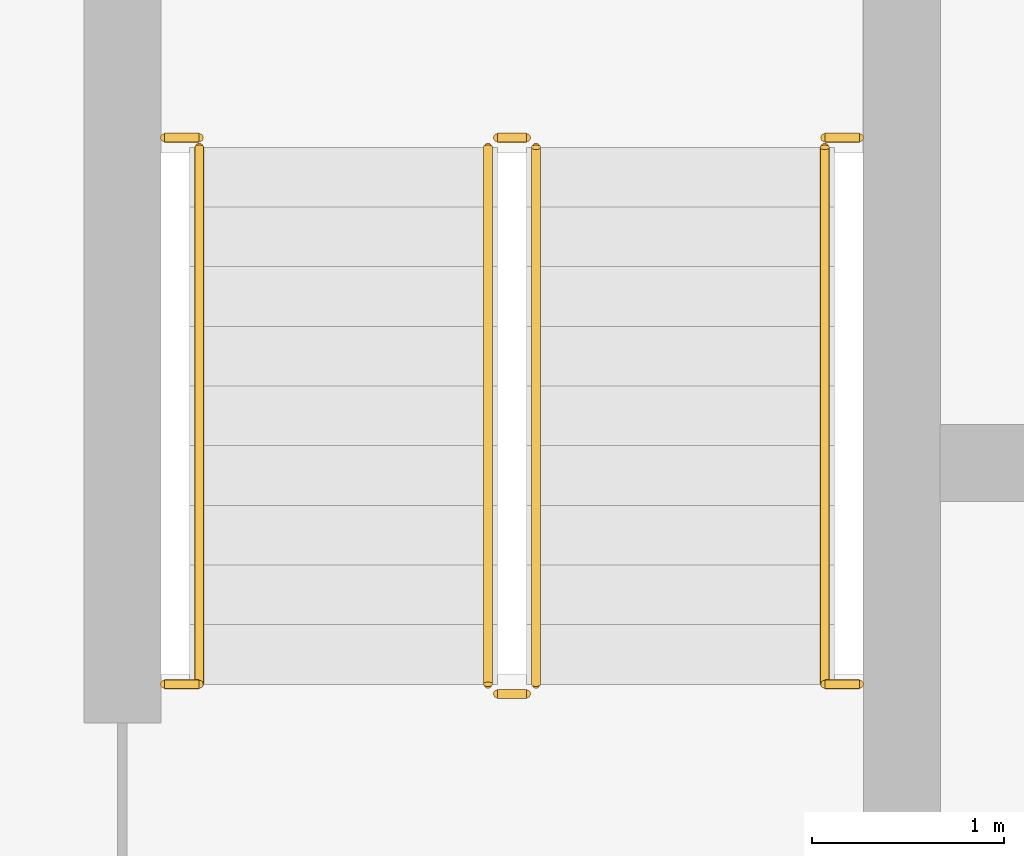
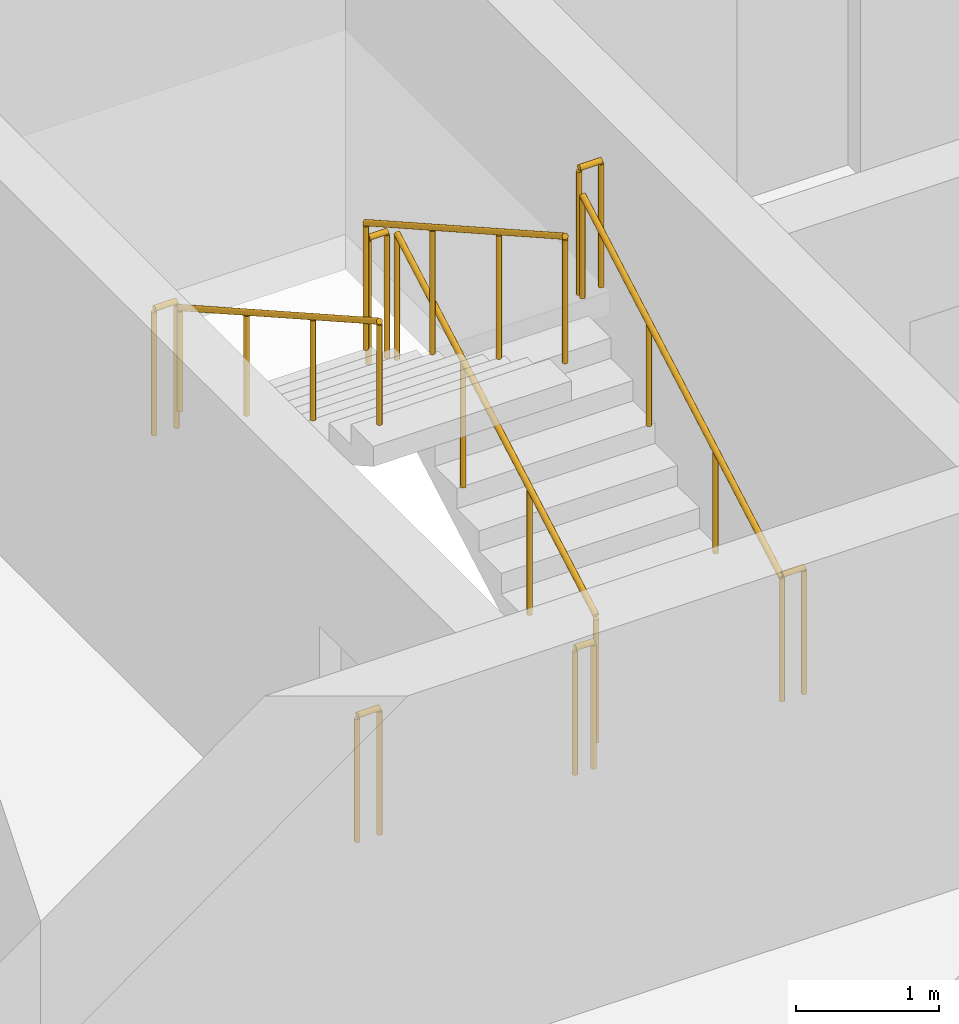
# One storey, part 17 of 21: 10 railings.
"""IFC4 building model written with IfcOpenShell, lengths in metres."""

from ifc_helpers import new_model, si_unit, direction, frame, origin, origin_2d, place, context, subcontext, project, spatial, circle, extrude, material, type_object, element, save


model = new_model("IFC4")

# Units and contexts
model_context = context("Model", 3, precision=1e-05, world=origin(), true_north=direction((0.0, 1.0)))
body_context = subcontext(model_context, "Body", "Model", "MODEL_VIEW")
ifc_project = project(units=[si_unit("LENGTHUNIT", "METRE"), si_unit("AREAUNIT", "SQUARE_METRE"), si_unit("VOLUMEUNIT", "CUBIC_METRE"), si_unit("PLANEANGLEUNIT", "RADIAN"), si_unit("MASSUNIT", "GRAM", prefix="KILO")], contexts=[model_context])

# Site, building, storey
site_placement = place(None, origin())
site = spatial("IfcSite", under=ifc_project, at=site_placement, CompositionType="ELEMENT")
building_placement = place(site_placement, origin())
building = spatial("IfcBuilding", under=site, at=building_placement, Name="Madar Terraces", CompositionType="ELEMENT")
storey_placement = place(building_placement, frame((0.0, 0.0, 272.10009765625)))
storey = spatial("IfcBuildingStorey", under=building, at=storey_placement, Name="L71", CompositionType="ELEMENT", Elevation=272.10009765625)

# Railings
ifc_material_1 = material(Name="Stainless steel railing", Category="steel")
railing_type_1 = type_object("IfcRailingType", Name="Stair guard 1100", PredefinedType="GUARDRAIL", material=ifc_material_1)
railing_1_placement = place(storey_placement, frame((21.199951171875, 17.60009765625, 0.1748046875)))
element("IfcRailing", 1, at=railing_1_placement, inside=storey, type_object=railing_type_1, Name="L71 ST1 stair guard 1", PredefinedType="GUARDRAIL", context=body_context, shape_type="SweptSolid", body=[
    extrude(circle(Radius=0.02392578125, at=origin_2d()), frame((0.0, 0.0, 1.076171875), z_axis=(0.0, 0.870782738816, 0.491667999549), x_axis=(-1.0, 0.0, 0.0)), (0.0, 0.0, 1.0), 3.203857421875),
    extrude(circle(Radius=0.02099609375, at=origin_2d()), origin(), (0.0, 0.0, 1.0), 1.052001953125),
    extrude(circle(Radius=0.02099609375, at=origin_2d()), frame((0.0, 0.929931640625, 0.525146484375)), (0.0, 0.0, 1.0), 1.052001953125),
    extrude(circle(Radius=0.02099609375, at=origin_2d()), frame((0.0, 1.85986328125, 1.050048828125)), (0.0, 0.0, 1.0), 1.052001953125),
    extrude(circle(Radius=0.02099609375, at=origin_2d()), frame((0.0, 2.789794921875, 1.5751953125)), (0.0, 0.0, 1.0), 1.052001953125),
])
railing_2_placement = place(storey_placement, frame((21.14990234375, 20.43994140625, 1.75)))
element("IfcRailing", 2, at=railing_2_placement, inside=storey, type_object=railing_type_1, Name="L71 ST1 stair guard 2", PredefinedType="GUARDRAIL", context=body_context, shape_type="SweptSolid", body=[
    extrude(circle(Radius=0.02392578125, at=origin_2d()), frame((0.0, 0.0, 1.076171875), z_axis=(-1.0, 0.0, 0.0), x_axis=(0.0, -1.0, 0.0)), (0.0, 0.0, 1.0), 0.14990234375),
    extrude(circle(Radius=0.02099609375, at=origin_2d()), origin(), (0.0, 0.0, 1.0), 1.052001953125),
    extrude(circle(Radius=0.02099609375, at=origin_2d()), frame((-0.14990234375, 0.0, 0.0)), (0.0, 0.0, 1.0), 1.052001953125),
])
railing_3_placement = place(storey_placement, frame((20.949951171875, 20.389892578125, 1.9248046875)))
element("IfcRailing", 3, at=railing_3_placement, inside=storey, type_object=railing_type_1, Name="L71 ST1 stair guard 3", PredefinedType="GUARDRAIL", context=body_context, shape_type="SweptSolid", body=[
    extrude(circle(Radius=0.02392578125, at=origin_2d()), frame((0.0, 0.0, 1.076171875), z_axis=(0.0, -0.870782738816, 0.491667999549), x_axis=(1.0, 0.0, 0.0)), (0.0, 0.0, 1.0), 3.203857421875),
    extrude(circle(Radius=0.02099609375, at=origin_2d()), origin(), (0.0, 0.0, 1.0), 1.052001953125),
    extrude(circle(Radius=0.02099609375, at=origin_2d()), frame((0.0, -0.929931640625, 0.525146484375)), (0.0, 0.0, 1.0), 1.052001953125),
    extrude(circle(Radius=0.02099609375, at=origin_2d()), frame((0.0, -1.85986328125, 1.050048828125)), (0.0, 0.0, 1.0), 1.052001953125),
    extrude(circle(Radius=0.02099609375, at=origin_2d()), frame((0.0, -2.789794921875, 1.5751953125)), (0.0, 0.0, 1.0), 1.052001953125),
])
railing_4_placement = place(storey_placement, frame((21.14990234375, 17.550048828125, 0.0)))
element("IfcRailing", 4, at=railing_4_placement, inside=storey, type_object=railing_type_1, Name="L71 ST1 stair guard 4", PredefinedType="GUARDRAIL", context=body_context, shape_type="SweptSolid", body=[
    extrude(circle(Radius=0.02392578125, at=origin_2d()), frame((0.0, 0.0, 1.076171875), z_axis=(-1.0, 0.0, 0.0), x_axis=(0.0, -1.0, 0.0)), (0.0, 0.0, 1.0), 0.14990234375),
    extrude(circle(Radius=0.02099609375, at=origin_2d()), origin(), (0.0, 0.0, 1.0), 1.052001953125),
    extrude(circle(Radius=0.02099609375, at=origin_2d()), frame((-0.14990234375, 0.0, 0.0)), (0.0, 0.0, 1.0), 1.052001953125),
])
for number, where, name in (
    (5, (19.27001953125, 20.43994140625, 1.75), "L71 stair guard seat 1"),
    (6, (22.699951171875, 20.43994140625, 1.75), "L71 stair guard seat 2"),
    (7, (19.27001953125, 17.60009765625, 0.0), "L71 stair guard floor 1"),
    (8, (22.699951171875, 17.60009765625, 0.0), "L71 stair guard floor 2"),
):
    element("IfcRailing", number, at=place(storey_placement, frame(where)), inside=storey, type_object=railing_type_1, Name=name, PredefinedType="GUARDRAIL", context=body_context, shape_type="SweptSolid", body=[
        extrude(circle(Radius=0.02392578125, at=origin_2d()), frame((0.0, 0.0, 1.076171875), z_axis=(1.0, 0.0, 0.0), x_axis=(0.0, 1.0, 0.0)), (0.0, 0.0, 1.0), 0.179931640625),
        extrude(circle(Radius=0.02099609375, at=origin_2d()), origin(), (0.0, 0.0, 1.0), 1.052001953125),
        extrude(circle(Radius=0.02099609375, at=origin_2d()), frame((0.179931640625, 0.0, 0.0)), (0.0, 0.0, 1.0), 1.052001953125),
    ])
ifc_material_2 = material(Name="Stainless steel railing", Category="steel")
railing_type_2 = type_object("IfcRailingType", Name="Stair handrail 900", PredefinedType="HANDRAIL", material=ifc_material_2)
railing_5_placement = place(storey_placement, frame((22.699951171875, 17.60009765625, 0.1748046875)))
element("IfcRailing", 9, at=railing_5_placement, inside=storey, type_object=railing_type_2, Name="L71 ST1 stair handrail 1", PredefinedType="HANDRAIL", context=body_context, shape_type="SweptSolid", body=[
    extrude(circle(Radius=0.02392578125, at=origin_2d()), frame((0.0, 0.0, 0.8759765625), z_axis=(0.0, 0.870782738816, 0.491667999549), x_axis=(-1.0, 0.0, 0.0)), (0.0, 0.0, 1.0), 3.203857421875),
    extrude(circle(Radius=0.02099609375, at=origin_2d()), origin(), (0.0, 0.0, 1.0), 0.851806640625),
    extrude(circle(Radius=0.02099609375, at=origin_2d()), frame((0.0, 0.929931640625, 0.525146484375)), (0.0, 0.0, 1.0), 0.851806640625),
    extrude(circle(Radius=0.02099609375, at=origin_2d()), frame((0.0, 1.85986328125, 1.050048828125)), (0.0, 0.0, 1.0), 0.851806640625),
    extrude(circle(Radius=0.02099609375, at=origin_2d()), frame((0.0, 2.789794921875, 1.5751953125)), (0.0, 0.0, 1.0), 0.851806640625),
])
railing_6_placement = place(storey_placement, frame((19.449951171875, 20.389892578125, 1.9248046875)))
element("IfcRailing", 10, at=railing_6_placement, inside=storey, type_object=railing_type_2, Name="L71 ST1 stair handrail 2", PredefinedType="HANDRAIL", context=body_context, shape_type="SweptSolid", body=[
    extrude(circle(Radius=0.02392578125, at=origin_2d()), frame((0.0, 0.0, 0.8759765625), z_axis=(0.0, -0.870782738816, 0.491667999549), x_axis=(1.0, 0.0, 0.0)), (0.0, 0.0, 1.0), 3.203857421875),
    extrude(circle(Radius=0.02099609375, at=origin_2d()), origin(), (0.0, 0.0, 1.0), 0.851806640625),
    extrude(circle(Radius=0.02099609375, at=origin_2d()), frame((0.0, -0.929931640625, 0.525146484375)), (0.0, 0.0, 1.0), 0.851806640625),
    extrude(circle(Radius=0.02099609375, at=origin_2d()), frame((0.0, -1.85986328125, 1.050048828125)), (0.0, 0.0, 1.0), 0.851806640625),
    extrude(circle(Radius=0.02099609375, at=origin_2d()), frame((0.0, -2.789794921875, 1.5751953125)), (0.0, 0.0, 1.0), 0.851806640625),
])

save(model, "model.ifc")
